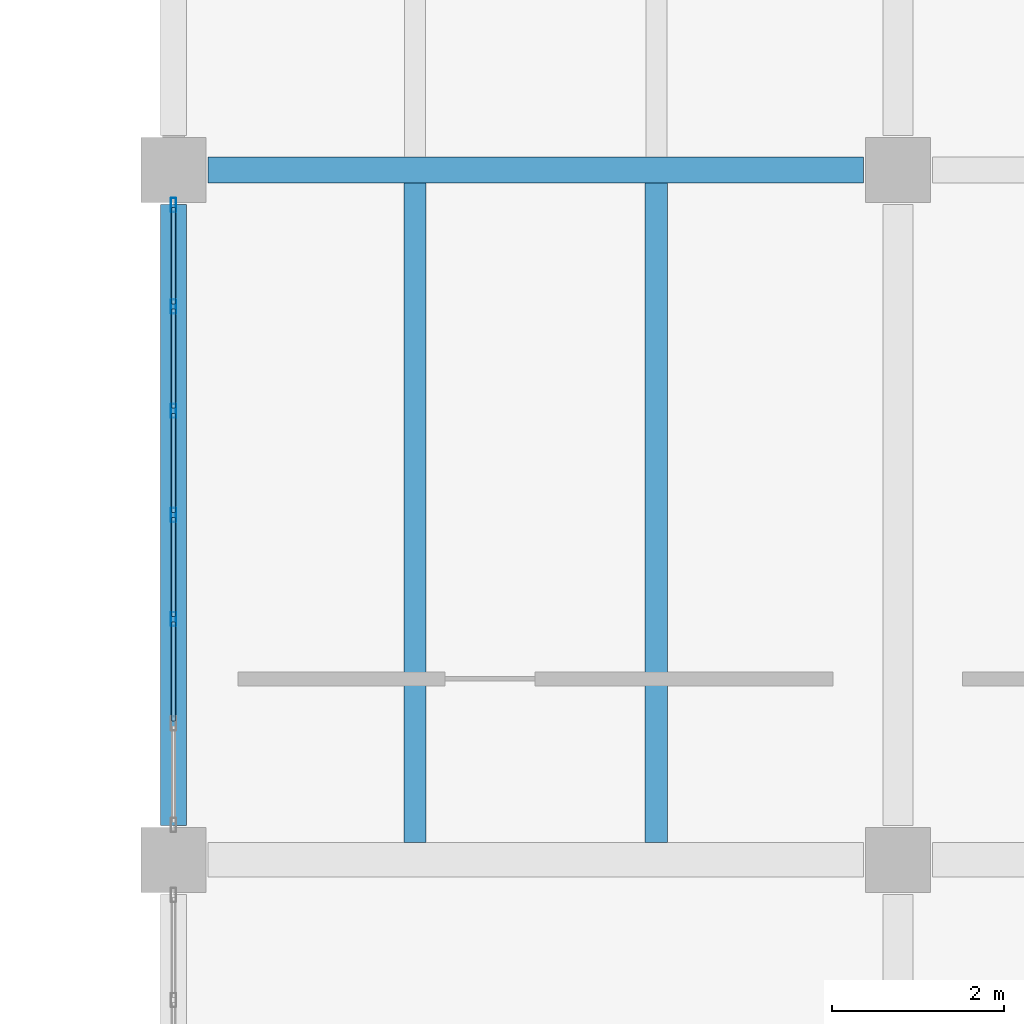
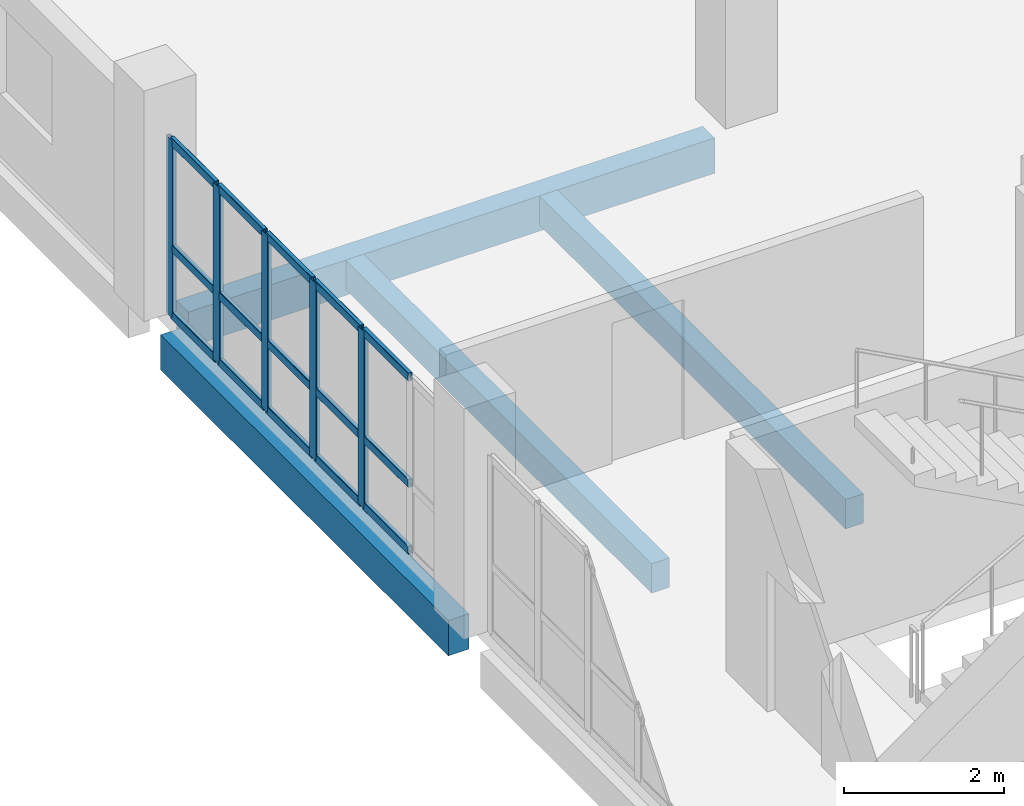
# One storey, part 10 of 95: 20 members, 4 beams, 1 element without a shape of its own.
"""IFC4 building model written with IfcOpenShell, lengths in metres."""

from ifc_helpers import new_model, si_unit, direction, frame, origin, origin_2d, place, context, subcontext, project, spatial, rectangle, hollow_rectangle, extrude, material, layer, layer_set, material_profile, profile_set, type_object, element, aggregate, save


model = new_model("IFC4")

# Units and contexts
model_context = context("Model", 3, precision=1e-05, world=origin(), true_north=direction((0.0, 1.0)))
body_context = subcontext(model_context, "Body", "Model", "MODEL_VIEW")
ifc_project = project(units=[si_unit("LENGTHUNIT", "METRE"), si_unit("AREAUNIT", "SQUARE_METRE"), si_unit("VOLUMEUNIT", "CUBIC_METRE"), si_unit("PLANEANGLEUNIT", "RADIAN"), si_unit("MASSUNIT", "GRAM", prefix="KILO"), si_unit("THERMODYNAMICTEMPERATUREUNIT", "KELVIN"), si_unit("POWERUNIT", "WATT")], contexts=[model_context])

# Site, building, storey
site_placement = place(None, origin())
site = spatial("IfcSite", under=ifc_project, at=site_placement, CompositionType="ELEMENT")
building_placement = place(site_placement, origin())
building = spatial("IfcBuilding", under=site, at=building_placement, Name="Mavoryth Pier Ferry Terminal", CompositionType="ELEMENT")
storey_placement = place(building_placement, frame((0.0, 0.0, 9.60009765625)))
storey = spatial("IfcBuildingStorey", under=building, at=storey_placement, Name="L02", CompositionType="ELEMENT", Elevation=9.60009765625)

# Beams
ifc_material_1 = material(Name="Concrete C35/45", Category="concrete")
ifc_material_profile_1 = material_profile(ifc_material_1, rectangle(XDim=0.260009765625, YDim=0.449951171875, at=origin_2d()), Name="RC 260x450", Category="concrete")
ifc_profile_set_1 = profile_set([ifc_material_profile_1], Name="Concrete C35/45 - RC 260x450")
beam_type_1 = type_object("IfcBeamType", Name="Joist-RC-260x450", PredefinedType="JOIST", material=ifc_profile_set_1)
for number, where, z_axis, x_axis, name in (
    (1, (44.800048828125, 14.199951171875, -0.485107421875), (0.0, 1.0, 0.0), (-1.0, 0.0, 0.0), "Beam B02-BJ03-0998"),
    (2, (47.60009765625, 14.199951171875, -0.485107421875), (0.0, 1.0, 0.0), (-1.0, 0.0, 0.0), "Beam B02-BJ03-0999"),
):
    element("IfcBeam", number, at=place(storey_placement, frame(where, z_axis=z_axis, x_axis=x_axis)), inside=storey, type_object=beam_type_1, Name=name, PredefinedType="JOIST", context=body_context, shape_type="SweptSolid", body=[
        extrude(rectangle(XDim=0.260009765625, YDim=0.449951171875, at=origin_2d()), origin(), (0.0, 0.0, 1.0), 7.650146484375),
    ])

# Curtain wall, members
ifc_material_2 = material(Name="Anodised Aluminium and Solar-Control Low-E Glass", Category="aluminium")
ifc_layer = layer(ifc_material_2, 0.239990234375, Name="Anodised Aluminium and Solar-Control Low-E Glass", Category="aluminium")
ifc_layer_set = layer_set([ifc_layer], Name="Anodised Aluminium and Solar-Control Low-E Glass - CW-Operations-Mod1200")
curtain_wall_type = type_object("IfcCurtainWallType", Name="CW-Operations-Mod1200", PredefinedType="USERDEFINED", material=ifc_layer_set)
curtain_wall_placement = place(storey_placement, origin())
curtain_wall = element("IfcCurtainWall", 3, at=curtain_wall_placement, inside=storey, type_object=curtain_wall_type, Name="Curtain Wall CW-0222-135", ObjectType="UNITISED CURTAIN WALL", PredefinedType="USERDEFINED")
ifc_material_3 = material(Name="Anodised Aluminium EN AW-6063", Category="aluminium")
ifc_material_profile_2 = material_profile(ifc_material_3, hollow_rectangle(XDim=0.06005859375, YDim=0.1650390625, WallThickness=0.00390625, InnerFilletRadius=0.00390625, OuterFilletRadius=0.008056640625, at=origin_2d()), Name="AL-MULL 165x60x4", Category="aluminium")
ifc_profile_set_2 = profile_set([ifc_material_profile_2], Name="Anodised Aluminium EN AW-6063 - AL-MULL 165x60x4")
member_type_1 = type_object("IfcMemberType", Name="Mullion-Alum-165x60", PredefinedType="MULLION", material=ifc_profile_set_2)
member_1_placement = place(storey_placement, frame((42.0, 21.594970703125, 0.0), z_axis=(0.0, 0.0, 1.0), x_axis=(1.0, 0.0, 0.0)))
member_1 = element("IfcMember", 4, at=member_1_placement, type_object=member_type_1, Name="CW06 mullion 1", PredefinedType="MULLION", context=body_context, shape_type="SweptSolid", body=[
    extrude(hollow_rectangle(XDim=0.06005859375, YDim=0.1650390625, WallThickness=0.00390625, InnerFilletRadius=0.00390625, OuterFilletRadius=0.008056640625, at=origin_2d()), origin(), (0.0, 0.0, 1.0), 2.704833984375),
])
member_2_placement = place(storey_placement, frame((42.0, 20.416748046875, 0.0), z_axis=(0.0, 0.0, 1.0), x_axis=(1.0, 0.0, 0.0)))
member_2 = element("IfcMember", 5, at=member_2_placement, type_object=member_type_1, Name="CW06 mullion 2", PredefinedType="MULLION", context=body_context, shape_type="SweptSolid", body=[
    extrude(hollow_rectangle(XDim=0.06005859375, YDim=0.1650390625, WallThickness=0.00390625, InnerFilletRadius=0.00390625, OuterFilletRadius=0.008056640625, at=origin_2d()), origin(), (0.0, 0.0, 1.0), 2.704833984375),
])
member_3_placement = place(storey_placement, frame((42.0, 19.208251953125, 0.0), z_axis=(0.0, 0.0, 1.0), x_axis=(1.0, 0.0, 0.0)))
member_3 = element("IfcMember", 6, at=member_3_placement, type_object=member_type_1, Name="CW06 mullion 3", PredefinedType="MULLION", context=body_context, shape_type="SweptSolid", body=[
    extrude(hollow_rectangle(XDim=0.06005859375, YDim=0.1650390625, WallThickness=0.00390625, InnerFilletRadius=0.00390625, OuterFilletRadius=0.008056640625, at=origin_2d()), origin(), (0.0, 0.0, 1.0), 2.704833984375),
])
member_4_placement = place(storey_placement, frame((42.0, 18.0, 0.0), z_axis=(0.0, 0.0, 1.0), x_axis=(1.0, 0.0, 0.0)))
member_4 = element("IfcMember", 7, at=member_4_placement, type_object=member_type_1, Name="CW06 mullion 4", PredefinedType="MULLION", context=body_context, shape_type="SweptSolid", body=[
    extrude(hollow_rectangle(XDim=0.06005859375, YDim=0.1650390625, WallThickness=0.00390625, InnerFilletRadius=0.00390625, OuterFilletRadius=0.008056640625, at=origin_2d()), origin(), (0.0, 0.0, 1.0), 2.704833984375),
])
member_5_placement = place(storey_placement, frame((42.0, 16.791748046875, 0.0), z_axis=(0.0, 0.0, 1.0), x_axis=(1.0, 0.0, 0.0)))
member_5 = element("IfcMember", 8, at=member_5_placement, type_object=member_type_1, Name="CW06 mullion 5", PredefinedType="MULLION", context=body_context, shape_type="SweptSolid", body=[
    extrude(hollow_rectangle(XDim=0.06005859375, YDim=0.1650390625, WallThickness=0.00390625, InnerFilletRadius=0.00390625, OuterFilletRadius=0.008056640625, at=origin_2d()), origin(), (0.0, 0.0, 1.0), 2.704833984375),
])

# Beams
ifc_material_profile_3 = material_profile(ifc_material_1, rectangle(XDim=0.300048828125, YDim=0.5400390625, at=origin_2d()), Name="RC 300x540", Category="concrete")
ifc_profile_set_3 = profile_set([ifc_material_profile_3], Name="Concrete C35/45 - RC 300x540")
beam_type_2 = type_object("IfcBeamType", Name="Spandrel-RC-300x540", PredefinedType="SPANDREL", material=ifc_profile_set_3)
beam_1_placement = place(storey_placement, frame((42.39990234375, 22.0, -0.530029296875), z_axis=(1.0, 0.0, 0.0), x_axis=(0.0, 1.0, 0.0)))
element("IfcBeam", 9, at=beam_1_placement, inside=storey, type_object=beam_type_2, Name="Beam B02-SP02-0969", PredefinedType="SPANDREL", context=body_context, shape_type="SweptSolid", body=[
    extrude(rectangle(XDim=0.300048828125, YDim=0.5400390625, at=origin_2d()), origin(), (0.0, 0.0, 1.0), 7.60009765625),
])
beam_2_placement = place(storey_placement, frame((42.0, 14.39990234375, -0.530029296875), z_axis=(0.0, 1.0, 0.0), x_axis=(-1.0, 0.0, 0.0)))
element("IfcBeam", 10, at=beam_2_placement, inside=storey, type_object=beam_type_2, Name="Beam B02-SP02-0977", PredefinedType="SPANDREL", context=body_context, shape_type="SweptSolid", body=[
    extrude(rectangle(XDim=0.300048828125, YDim=0.5400390625, at=origin_2d()), origin(), (0.0, 0.0, 1.0), 7.2001953125),
])

# Member
ifc_material_profile_4 = material_profile(ifc_material_3, hollow_rectangle(XDim=0.06005859375, YDim=0.125, WallThickness=0.00390625, InnerFilletRadius=0.00390625, OuterFilletRadius=0.008056640625, at=origin_2d()), Name="AL-TRAN 125x60x4", Category="aluminium")
ifc_profile_set_4 = profile_set([ifc_material_profile_4], Name="Anodised Aluminium EN AW-6063 - AL-TRAN 125x60x4")
member_type_2 = type_object("IfcMemberType", Name="Transom-Alum-125x60", PredefinedType="USERDEFINED", material=ifc_profile_set_4)
member_6_placement = place(storey_placement, frame((42.0, 21.56494140625, 0.02978515625), z_axis=(0.0, -1.0, 0.0), x_axis=(1.0, 0.0, 0.0)))
member_6 = element("IfcMember", 11, at=member_6_placement, type_object=member_type_2, Name="CW06 transom 1.1", ObjectType="TRANSOM", PredefinedType="USERDEFINED", context=body_context, shape_type="SweptSolid", body=[
    extrude(hollow_rectangle(XDim=0.06005859375, YDim=0.125, WallThickness=0.00390625, InnerFilletRadius=0.00390625, OuterFilletRadius=0.008056640625, at=origin_2d()), origin(), (0.0, 0.0, 1.0), 1.1181640625),
])

member_7_placement = place(storey_placement, frame((42.0, 21.56494140625, 1.0498046875), z_axis=(0.0, -1.0, 0.0), x_axis=(1.0, 0.0, 0.0)))
member_7 = element("IfcMember", 12, at=member_7_placement, type_object=member_type_2, Name="CW06 transom 1.2", ObjectType="TRANSOM", PredefinedType="USERDEFINED", context=body_context, shape_type="SweptSolid", body=[
    extrude(hollow_rectangle(XDim=0.06005859375, YDim=0.125, WallThickness=0.00390625, InnerFilletRadius=0.00390625, OuterFilletRadius=0.008056640625, at=origin_2d()), origin(), (0.0, 0.0, 1.0), 1.1181640625),
])

member_8_placement = place(storey_placement, frame((42.0, 21.56494140625, 2.6748046875), z_axis=(0.0, -1.0, 0.0), x_axis=(1.0, 0.0, 0.0)))
member_8 = element("IfcMember", 13, at=member_8_placement, type_object=member_type_2, Name="CW06 transom 1.3", ObjectType="TRANSOM", PredefinedType="USERDEFINED", context=body_context, shape_type="SweptSolid", body=[
    extrude(hollow_rectangle(XDim=0.06005859375, YDim=0.125, WallThickness=0.00390625, InnerFilletRadius=0.00390625, OuterFilletRadius=0.008056640625, at=origin_2d()), origin(), (0.0, 0.0, 1.0), 1.1181640625),
])

member_9_placement = place(storey_placement, frame((42.0, 20.38671875, 0.02978515625), z_axis=(0.0, -1.0, 0.0), x_axis=(1.0, 0.0, 0.0)))
member_9 = element("IfcMember", 14, at=member_9_placement, type_object=member_type_2, Name="CW06 transom 2.1", ObjectType="TRANSOM", PredefinedType="USERDEFINED", context=body_context, shape_type="SweptSolid", body=[
    extrude(hollow_rectangle(XDim=0.06005859375, YDim=0.125, WallThickness=0.00390625, InnerFilletRadius=0.00390625, OuterFilletRadius=0.008056640625, at=origin_2d()), origin(), (0.0, 0.0, 1.0), 1.1484375),
])

member_10_placement = place(storey_placement, frame((42.0, 20.38671875, 1.0498046875), z_axis=(0.0, -1.0, 0.0), x_axis=(1.0, 0.0, 0.0)))
member_10 = element("IfcMember", 15, at=member_10_placement, type_object=member_type_2, Name="CW06 transom 2.2", ObjectType="TRANSOM", PredefinedType="USERDEFINED", context=body_context, shape_type="SweptSolid", body=[
    extrude(hollow_rectangle(XDim=0.06005859375, YDim=0.125, WallThickness=0.00390625, InnerFilletRadius=0.00390625, OuterFilletRadius=0.008056640625, at=origin_2d()), origin(), (0.0, 0.0, 1.0), 1.1484375),
])

member_11_placement = place(storey_placement, frame((42.0, 20.38671875, 2.6748046875), z_axis=(0.0, -1.0, 0.0), x_axis=(1.0, 0.0, 0.0)))
member_11 = element("IfcMember", 16, at=member_11_placement, type_object=member_type_2, Name="CW06 transom 2.3", ObjectType="TRANSOM", PredefinedType="USERDEFINED", context=body_context, shape_type="SweptSolid", body=[
    extrude(hollow_rectangle(XDim=0.06005859375, YDim=0.125, WallThickness=0.00390625, InnerFilletRadius=0.00390625, OuterFilletRadius=0.008056640625, at=origin_2d()), origin(), (0.0, 0.0, 1.0), 1.1484375),
])

member_12_placement = place(storey_placement, frame((42.0, 19.17822265625, 0.02978515625), z_axis=(0.0, -1.0, 0.0), x_axis=(1.0, 0.0, 0.0)))
member_12 = element("IfcMember", 17, at=member_12_placement, type_object=member_type_2, Name="CW06 transom 3.1", ObjectType="TRANSOM", PredefinedType="USERDEFINED", context=body_context, shape_type="SweptSolid", body=[
    extrude(hollow_rectangle(XDim=0.06005859375, YDim=0.125, WallThickness=0.00390625, InnerFilletRadius=0.00390625, OuterFilletRadius=0.008056640625, at=origin_2d()), origin(), (0.0, 0.0, 1.0), 1.148193359375),
])

member_13_placement = place(storey_placement, frame((42.0, 19.17822265625, 1.0498046875), z_axis=(0.0, -1.0, 0.0), x_axis=(1.0, 0.0, 0.0)))
member_13 = element("IfcMember", 18, at=member_13_placement, type_object=member_type_2, Name="CW06 transom 3.2", ObjectType="TRANSOM", PredefinedType="USERDEFINED", context=body_context, shape_type="SweptSolid", body=[
    extrude(hollow_rectangle(XDim=0.06005859375, YDim=0.125, WallThickness=0.00390625, InnerFilletRadius=0.00390625, OuterFilletRadius=0.008056640625, at=origin_2d()), origin(), (0.0, 0.0, 1.0), 1.148193359375),
])

member_14_placement = place(storey_placement, frame((42.0, 19.17822265625, 2.6748046875), z_axis=(0.0, -1.0, 0.0), x_axis=(1.0, 0.0, 0.0)))
member_14 = element("IfcMember", 19, at=member_14_placement, type_object=member_type_2, Name="CW06 transom 3.3", ObjectType="TRANSOM", PredefinedType="USERDEFINED", context=body_context, shape_type="SweptSolid", body=[
    extrude(hollow_rectangle(XDim=0.06005859375, YDim=0.125, WallThickness=0.00390625, InnerFilletRadius=0.00390625, OuterFilletRadius=0.008056640625, at=origin_2d()), origin(), (0.0, 0.0, 1.0), 1.148193359375),
])

member_15_placement = place(storey_placement, frame((42.0, 17.969970703125, 0.02978515625), z_axis=(0.0, -1.0, 0.0), x_axis=(1.0, 0.0, 0.0)))
member_15 = element("IfcMember", 20, at=member_15_placement, type_object=member_type_2, Name="CW06 transom 4.1", ObjectType="TRANSOM", PredefinedType="USERDEFINED", context=body_context, shape_type="SweptSolid", body=[
    extrude(hollow_rectangle(XDim=0.06005859375, YDim=0.125, WallThickness=0.00390625, InnerFilletRadius=0.00390625, OuterFilletRadius=0.008056640625, at=origin_2d()), origin(), (0.0, 0.0, 1.0), 1.148193359375),
])

member_16_placement = place(storey_placement, frame((42.0, 17.969970703125, 1.0498046875), z_axis=(0.0, -1.0, 0.0), x_axis=(1.0, 0.0, 0.0)))
member_16 = element("IfcMember", 21, at=member_16_placement, type_object=member_type_2, Name="CW06 transom 4.2", ObjectType="TRANSOM", PredefinedType="USERDEFINED", context=body_context, shape_type="SweptSolid", body=[
    extrude(hollow_rectangle(XDim=0.06005859375, YDim=0.125, WallThickness=0.00390625, InnerFilletRadius=0.00390625, OuterFilletRadius=0.008056640625, at=origin_2d()), origin(), (0.0, 0.0, 1.0), 1.148193359375),
])

member_17_placement = place(storey_placement, frame((42.0, 17.969970703125, 2.6748046875), z_axis=(0.0, -1.0, 0.0), x_axis=(1.0, 0.0, 0.0)))
member_17 = element("IfcMember", 22, at=member_17_placement, type_object=member_type_2, Name="CW06 transom 4.3", ObjectType="TRANSOM", PredefinedType="USERDEFINED", context=body_context, shape_type="SweptSolid", body=[
    extrude(hollow_rectangle(XDim=0.06005859375, YDim=0.125, WallThickness=0.00390625, InnerFilletRadius=0.00390625, OuterFilletRadius=0.008056640625, at=origin_2d()), origin(), (0.0, 0.0, 1.0), 1.148193359375),
])

member_18_placement = place(storey_placement, frame((42.0, 16.76171875, 0.02978515625), z_axis=(0.0, -1.0, 0.0), x_axis=(1.0, 0.0, 0.0)))
member_18 = element("IfcMember", 23, at=member_18_placement, type_object=member_type_2, Name="CW06 transom 5.1", ObjectType="TRANSOM", PredefinedType="USERDEFINED", context=body_context, shape_type="SweptSolid", body=[
    extrude(hollow_rectangle(XDim=0.06005859375, YDim=0.125, WallThickness=0.00390625, InnerFilletRadius=0.00390625, OuterFilletRadius=0.008056640625, at=origin_2d()), origin(), (0.0, 0.0, 1.0), 1.1484375),
])

member_19_placement = place(storey_placement, frame((42.0, 16.76171875, 1.0498046875), z_axis=(0.0, -1.0, 0.0), x_axis=(1.0, 0.0, 0.0)))
member_19 = element("IfcMember", 24, at=member_19_placement, type_object=member_type_2, Name="CW06 transom 5.2", ObjectType="TRANSOM", PredefinedType="USERDEFINED", context=body_context, shape_type="SweptSolid", body=[
    extrude(hollow_rectangle(XDim=0.06005859375, YDim=0.125, WallThickness=0.00390625, InnerFilletRadius=0.00390625, OuterFilletRadius=0.008056640625, at=origin_2d()), origin(), (0.0, 0.0, 1.0), 1.1484375),
])

member_20_placement = place(storey_placement, frame((42.0, 16.76171875, 2.6748046875), z_axis=(0.0, -1.0, 0.0), x_axis=(1.0, 0.0, 0.0)))
member_20 = element("IfcMember", 25, at=member_20_placement, type_object=member_type_2, Name="CW06 transom 5.3", ObjectType="TRANSOM", PredefinedType="USERDEFINED", context=body_context, shape_type="SweptSolid", body=[
    extrude(hollow_rectangle(XDim=0.06005859375, YDim=0.125, WallThickness=0.00390625, InnerFilletRadius=0.00390625, OuterFilletRadius=0.008056640625, at=origin_2d()), origin(), (0.0, 0.0, 1.0), 1.1484375),
])

aggregate(curtain_wall, [member_1, member_2, member_3, member_4, member_5, member_6, member_7, member_8, member_9, member_10, member_11, member_12, member_13, member_14, member_15, member_16, member_17, member_18, member_19, member_20])

save(model, "model.ifc")
